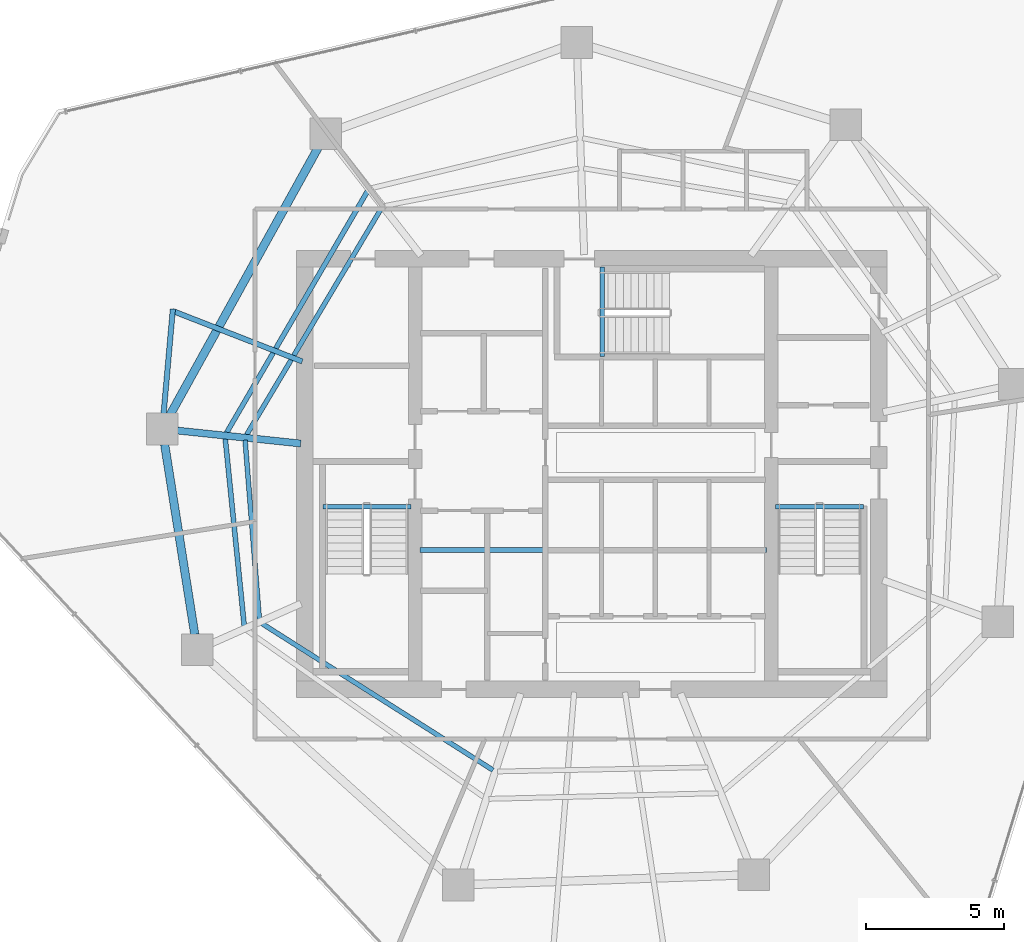
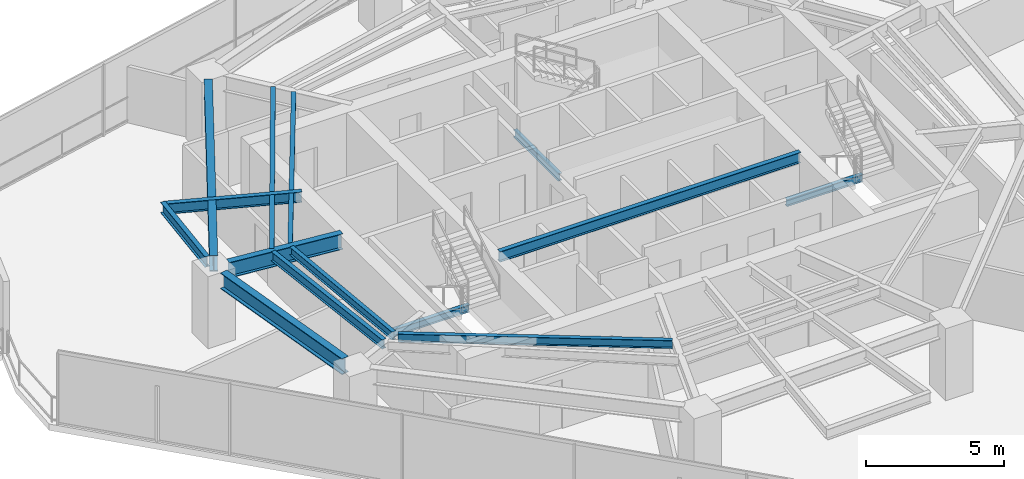
# One storey, part 6 of 23: 14 beams.
"""IFC4 building model written with IfcOpenShell, lengths in metres."""

import ifcopenshell
import ifcopenshell.guid

model = None  # the IFC model being written
_history = None  # IfcOwnerHistory: only IFC2X3 demands one
_inside = {}  # id of a spatial element -> (the spatial element, [elements in it])
_under = {}  # id of a project, library or spatial element -> (it, [spatial elements below it])
_declared = {}  # id of a project -> (the project, [libraries it declares])
_typed = {}  # id of a type object -> (the type object, [elements of that type])
_made_of = {}  # id of a material, layer set ... -> (it, [elements and type objects made of it])


def new_model(schema):
    """Start an empty IFC model of exactly this schema.

    Asked for "IFC4X3", IfcOpenShell would pick the latest addendum, in which some entities
    have other attributes; the version numbers below select the first issue.
    IFC2X3 requires an IfcOwnerHistory on every rooted entity: one is made here for all.
    """
    global model, _history
    if schema == "IFC4X3":
        model = ifcopenshell.file(schema_version=(4, 3, 0, 0))
    else:
        model = ifcopenshell.file(schema=schema)
    _inside.clear()
    _under.clear()
    _declared.clear()
    _typed.clear()
    _made_of.clear()
    _history = None
    if model.schema == "IFC2X3":
        org = make("IfcOrganization", Name="unknown")
        user = make(
            "IfcPersonAndOrganization",
            ThePerson=make("IfcPerson", FamilyName="unknown"),
            TheOrganization=org,
        )
        app = make(
            "IfcApplication",
            ApplicationDeveloper=org,
            Version="unknown",
            ApplicationFullName="unknown",
            ApplicationIdentifier="unknown",
        )
        _history = make(
            "IfcOwnerHistory",
            OwningUser=user,
            OwningApplication=app,
            ChangeAction="ADDED",
            CreationDate=0,
        )
    return model


def make(cls, **values):
    """One entity of the class cls with the attributes given. An attribute that is None is left unset."""
    return model.create_entity(
        cls, **{name: value for name, value in values.items() if value is not None}
    )


def rooted(cls, **values):
    """An entity with a GlobalId (a new one), such as an element, a storey or a relation."""
    return make(cls, GlobalId=ifcopenshell.guid.new(), OwnerHistory=_history, **values)


def si_unit(unit_type, name, prefix=None):
    """IfcSIUnit, for example si_unit("LENGTHUNIT", "METRE", prefix="MILLI")."""
    return make("IfcSIUnit", UnitType=unit_type, Prefix=prefix, Name=name)


def assignment(units):
    """IfcUnitAssignment: the units of a project."""
    return None if units is None else make("IfcUnitAssignment", Units=units)


def point(xyz):
    """IfcCartesianPoint."""
    return None if xyz is None else make("IfcCartesianPoint", Coordinates=xyz)


def direction(xyz):
    """IfcDirection."""
    return None if xyz is None else make("IfcDirection", DirectionRatios=xyz)


def frame(location, z_axis=None, x_axis=None):
    """IfcAxis2Placement3D, a coordinate frame: its origin and axes. An axis left out is left unset."""
    return make(
        "IfcAxis2Placement3D",
        Location=point(location),
        Axis=direction(z_axis),
        RefDirection=direction(x_axis),
    )


def frame_2d(location, x_axis=None):
    """IfcAxis2Placement2D, a coordinate frame in the plane: its origin and x axis."""
    return make(
        "IfcAxis2Placement2D", Location=point(location), RefDirection=direction(x_axis)
    )


def origin():
    """The frame at (0, 0, 0) with its axes left unset."""
    return frame((0.0, 0.0, 0.0))


def origin_2d():
    """The frame at (0, 0) in the plane with its x axis left unset."""
    return frame_2d((0.0, 0.0))


def place(relative_to, where):
    """IfcLocalPlacement: puts the frame where relative to a parent placement (None: the world)."""
    return make(
        "IfcLocalPlacement", PlacementRelTo=relative_to, RelativePlacement=where
    )


def context(
    kind, dimensions, precision=None, world=None, true_north=None, identifier=None
):
    """IfcGeometricRepresentationContext, for example the 3D "Model" context."""
    return make(
        "IfcGeometricRepresentationContext",
        ContextIdentifier=identifier,
        ContextType=kind,
        CoordinateSpaceDimension=dimensions,
        Precision=precision,
        WorldCoordinateSystem=world,
        TrueNorth=true_north,
    )


def subcontext(parent, identifier, kind, view, scale=None):
    """IfcGeometricRepresentationSubContext, for example "Body" below "Model"."""
    return make(
        "IfcGeometricRepresentationSubContext",
        ContextIdentifier=identifier,
        ContextType=kind,
        ParentContext=parent,
        TargetScale=scale,
        TargetView=view,
    )


def project(units=None, contexts=None):
    """IfcProject with its units and contexts."""
    return rooted(
        "IfcProject",
        Name="project",
        RepresentationContexts=contexts,
        UnitsInContext=assignment(units),
    )


def spatial(cls, under=None, at=None, **own):
    """A site, building, storey or space (cls), placed at a placement, below another one or the project."""
    s = rooted(cls, ObjectPlacement=at, **own)
    if under is not None:
        _under.setdefault(under.id(), (under, []))[1].append(s)
    return s


def profile(cls, at=None, kind="AREA", **sizes):
    """A parametric profile (cls). Its sizes go by their IFC names, for example OverallWidth=200.0."""
    return make(cls, ProfileType=kind, Position=at, **sizes)


def i_section(**sizes):
    """IfcIShapeProfileDef."""
    return profile("IfcIShapeProfileDef", **sizes)


def extrude(swept, where, along, depth):
    """IfcExtrudedAreaSolid: the profile swept, set in the frame where, extruded along a direction by depth."""
    return make(
        "IfcExtrudedAreaSolid",
        SweptArea=swept,
        Position=where,
        ExtrudedDirection=direction(along),
        Depth=depth,
    )


def shape(context_of_items, identifier, shape_type, items):
    """IfcShapeRepresentation: the items that make up one representation, for example the "Body"."""
    return make(
        "IfcShapeRepresentation",
        ContextOfItems=context_of_items,
        RepresentationIdentifier=identifier,
        RepresentationType=shape_type,
        Items=items,
    )


def material(Name=None, Category=None):
    """IfcMaterial."""
    return make("IfcMaterial", Name=Name, Category=Category)


def material_profile(
    of_material, cross_section, Name=None, Category=None, Priority=None
):
    """IfcMaterialProfile: a cross section and its material."""
    return make(
        "IfcMaterialProfile",
        Name=Name,
        Material=of_material,
        Profile=cross_section,
        Priority=Priority,
        Category=Category,
    )


def profile_set(profiles, Name=None, composite=None):
    """IfcMaterialProfileSet."""
    return make(
        "IfcMaterialProfileSet",
        Name=Name,
        MaterialProfiles=profiles,
        CompositeProfile=composite,
    )


def made_of(thing, what):
    """Note that an element or type object is made of a material, layer set ...; save() writes the relation."""
    if what is not None:
        _made_of.setdefault(what.id(), (what, []))[1].append(thing)
    return thing


def type_object(cls, material=None, **own):
    """A type object (cls), such as IfcWallType, which elements share."""
    return made_of(rooted(cls, **own), material)


def element(
    cls,
    number,
    at=None,
    inside=None,
    cuts=None,
    type_object=None,
    material=None,
    context=None,
    identifier="Body",
    shape_type=None,
    held_by="IfcProductDefinitionShape",
    body=None,
    shapes=None,
    **own,
):
    """One element of the class cls, such as IfcWall. Its Tag is "e" and its number.

    at: its placement. inside: the storey or other place that contains it. cuts: it is an
    opening in that element (IfcRelVoidsElement). A single representation is given by context,
    identifier, shape_type and body (its items); several are given by shapes. held_by: the class
    of the entity that holds the representations. save() writes the other relations.
    """
    e = rooted(cls, Tag="e%d" % number, ObjectPlacement=at, **own)
    if body is not None:
        shapes = [shape(context, identifier, shape_type, body)]
    if shapes is not None:
        e.Representation = make(held_by, Representations=shapes)
    if inside is not None:
        _inside.setdefault(inside.id(), (inside, []))[1].append(e)
    if cuts is not None:
        rooted(
            "IfcRelVoidsElement", RelatingBuildingElement=cuts, RelatedOpeningElement=e
        )
    if type_object is not None:
        _typed.setdefault(type_object.id(), (type_object, []))[1].append(e)
    return made_of(e, material)


def aggregate(whole, parts):
    """IfcRelAggregates: a whole, such as a stair, and the parts it consists of."""
    return rooted("IfcRelAggregates", RelatingObject=whole, RelatedObjects=parts)


def save(model, path):
    """Write the relations noted so far, then the file.

    IfcRelAggregates (storeys below a building ...), IfcRelContainedInSpatialStructure (elements
    in a storey), IfcRelDefinesByType, IfcRelAssociatesMaterial and IfcRelDeclares: one each for
    every whole, place, type object, material and project.
    """
    for whole, parts in _under.values():
        aggregate(whole, parts)
    for where, things in _inside.values():
        rooted(
            "IfcRelContainedInSpatialStructure",
            RelatedElements=things,
            RelatingStructure=where,
        )
    for kind, things in _typed.values():
        rooted("IfcRelDefinesByType", RelatedObjects=things, RelatingType=kind)
    for what, things in _made_of.values():
        rooted("IfcRelAssociatesMaterial", RelatedObjects=things, RelatingMaterial=what)
    for by, libraries in _declared.values():
        rooted("IfcRelDeclares", RelatingContext=by, RelatedDefinitions=libraries)
    model.write(path)


model = new_model("IFC4")

# Units and contexts
model_context = context("Model", 3, precision=1e-05, world=origin(), true_north=direction((0.0, 1.0)))
body_context = subcontext(model_context, "Body", "Model", "MODEL_VIEW")
ifc_project = project(units=[si_unit("LENGTHUNIT", "METRE"), si_unit("AREAUNIT", "SQUARE_METRE"), si_unit("VOLUMEUNIT", "CUBIC_METRE"), si_unit("PLANEANGLEUNIT", "RADIAN"), si_unit("MASSUNIT", "GRAM", prefix="KILO")], contexts=[model_context])

# Site, building, storey
site_placement = place(None, origin())
site = spatial("IfcSite", under=ifc_project, at=site_placement, CompositionType="ELEMENT")
building_placement = place(site_placement, origin())
building = spatial("IfcBuilding", under=site, at=building_placement, Name="Qarnah Convention Tower", CompositionType="ELEMENT")
storey_placement = place(building_placement, frame((0.0, 0.0, 114.300048828125)))
storey = spatial("IfcBuildingStorey", under=building, at=storey_placement, Name="L30", CompositionType="ELEMENT", Elevation=114.300048828125)

# Beams
ifc_material = material(Name="Structural steel S355JR", Category="steel")
ifc_material_profile_1 = material_profile(ifc_material, i_section(OverallWidth=0.19189453125, OverallDepth=0.464111328125, WebThickness=0.010986328125, FlangeThickness=0.01806640625, at=origin_2d()), Name="W460X89")
ifc_profile_set_1 = profile_set([ifc_material_profile_1], Name="Structural steel S355JR")
beam_type_1 = type_object("IfcBeamType", Name="BM-CANT-W460A", PredefinedType="BEAM", material=ifc_profile_set_1)
beam_1_placement = place(storey_placement, frame((30.97998046875, 23.64990234375, 2.93798828125), z_axis=(1.0, 0.0, 0.0), x_axis=(0.0, 1.0, 0.0)))
element("IfcBeam", 1, at=beam_1_placement, inside=storey, type_object=beam_type_1, Name="L30 beam BM-L30-KC1", PredefinedType="BEAM", context=body_context, shape_type="SweptSolid", body=[
    extrude(i_section(OverallWidth=0.19189453125, OverallDepth=0.464111328125, WebThickness=0.010986328125, FlangeThickness=0.01806640625, at=origin_2d()), origin(), (0.0, 0.0, 1.0), 12.5400390625),
])
beam_2_placement = place(storey_placement, frame((26.70703125, 30.48291015625, 2.93798828125), z_axis=(-0.93184170275, 0.362865045183, 0.0), x_axis=(-0.362865045183, -0.93184170275, 0.0)))
element("IfcBeam", 2, at=beam_2_placement, inside=storey, type_object=beam_type_1, Name="L30 beam BM-L30-CNT-02-1", PredefinedType="BEAM", context=body_context, shape_type="SweptSolid", body=[
    extrude(i_section(OverallWidth=0.19189453125, OverallDepth=0.464111328125, WebThickness=0.010986328125, FlangeThickness=0.01806640625, at=origin_2d()), origin(), (0.0, 0.0, 1.0), 5.035400390625),
])
beam_3_placement = place(storey_placement, frame((22.02099609375, 32.3798828125, 2.93798828125), z_axis=(-0.088250477094, -0.996098315074, 0.0), x_axis=(0.996098315074, -0.088250477094, 0.0)))
element("IfcBeam", 3, at=beam_3_placement, inside=storey, type_object=beam_type_1, Name="L30 spandrel BM-L30-CTIE-02", PredefinedType="SPANDREL", context=body_context, shape_type="SweptSolid", body=[
    extrude(i_section(OverallWidth=0.19189453125, OverallDepth=0.464111328125, WebThickness=0.010986328125, FlangeThickness=0.01806640625, at=origin_2d()), origin(), (0.0, 0.0, 1.0), 3.795654296875),
])
ifc_material_profile_2 = material_profile(ifc_material, i_section(OverallWidth=0.166015625, OverallDepth=0.31201171875, WebThickness=0.007080078125, FlangeThickness=0.010986328125, at=origin_2d()), Name="W310X45")
ifc_profile_set_2 = profile_set([ifc_material_profile_2], Name="Structural steel S355JR")
beam_type_2 = type_object("IfcBeamType", Name="BM-JST-W310", PredefinedType="JOIST", material=ifc_profile_set_2)
for number, where, z_axis, x_axis, name in (
    (4, (27.4599609375, 25.217041015625, -0.156005859375), (1.0, 0.0, 0.0), (0.0, 1.0, 0.0), "L30 stair landing trimmer beam BM-L30-ST1-TRM"),
    (5, (43.860107421875, 25.217041015625, -0.156005859375), (1.0, 0.0, 0.0), (0.0, 1.0, 0.0), "L30 stair landing trimmer beam BM-L30-ST2-TRM"),
):
    element("IfcBeam", number, at=place(storey_placement, frame(where, z_axis=z_axis, x_axis=x_axis)), inside=storey, type_object=beam_type_2, Name=name, PredefinedType="BEAM", context=body_context, shape_type="SweptSolid", body=[
        extrude(i_section(OverallWidth=0.166015625, OverallDepth=0.31201171875, WebThickness=0.007080078125, FlangeThickness=0.010986328125, at=origin_2d()), origin(), (0.0, 0.0, 1.0), 3.179931640625),
    ])
beam_4_placement = place(storey_placement, frame((37.5830078125, 30.659912109375, -0.156005859375), z_axis=(0.0, 1.0, 0.0), x_axis=(-1.0, 0.0, 0.0)))
element("IfcBeam", 6, at=beam_4_placement, inside=storey, type_object=beam_type_2, Name="L30 stair landing trimmer beam BM-L30-ST3-TRM", PredefinedType="BEAM", context=body_context, shape_type="SweptSolid", body=[
    extrude(i_section(OverallWidth=0.166015625, OverallDepth=0.31201171875, WebThickness=0.007080078125, FlangeThickness=0.010986328125, at=origin_2d()), origin(), (0.0, 0.0, 1.0), 3.239990234375),
])
ifc_material_profile_3 = material_profile(ifc_material, i_section(OverallWidth=0.172119140625, OverallDepth=0.35595703125, WebThickness=0.007080078125, FlangeThickness=0.011962890625, at=origin_2d()), Name="W360X51")
ifc_profile_set_3 = profile_set([ifc_material_profile_3], Name="Structural steel S355JR")
beam_type_3 = type_object("IfcBeamType", Name="BM-JST-W360", PredefinedType="JOIST", material=ifc_profile_set_3)
beam_5_placement = place(storey_placement, frame((29.572998046875, 36.02587890625, 2.991943359375), z_axis=(-0.511368642738, -0.859361455515, 0.0), x_axis=(0.859361455515, -0.511368642738, 0.0)))
element("IfcBeam", 7, at=beam_5_placement, inside=storey, type_object=beam_type_3, Name="L30 joist BM-L30-IJST-04", PredefinedType="JOIST", context=body_context, shape_type="SweptSolid", body=[
    extrude(i_section(OverallWidth=0.172119140625, OverallDepth=0.35595703125, WebThickness=0.007080078125, FlangeThickness=0.011962890625, at=origin_2d()), origin(), (0.0, 0.0, 1.0), 9.57421875),
])
beam_6_placement = place(storey_placement, frame((24.637939453125, 27.631103515625, 2.991943359375), z_axis=(0.079450568975, -0.996838806974, 0.0), x_axis=(0.996838806974, 0.079450568975, 0.0)))
element("IfcBeam", 8, at=beam_6_placement, inside=storey, type_object=beam_type_3, Name="L30 joist BM-L30-IJST-05", PredefinedType="JOIST", context=body_context, shape_type="SweptSolid", body=[
    extrude(i_section(OverallWidth=0.172119140625, OverallDepth=0.35595703125, WebThickness=0.007080078125, FlangeThickness=0.011962890625, at=origin_2d()), origin(), (0.0, 0.0, 1.0), 6.5205078125),
])
beam_7_placement = place(storey_placement, frame((25.239013671875, 20.992919921875, 2.991943359375), z_axis=(0.844366426135, -0.53576612287, 0.0), x_axis=(0.53576612287, 0.844366426135, 0.0)))
element("IfcBeam", 9, at=beam_7_placement, inside=storey, type_object=beam_type_3, Name="L30 joist BM-L30-IJST-06", PredefinedType="JOIST", context=body_context, shape_type="SweptSolid", body=[
    extrude(i_section(OverallWidth=0.172119140625, OverallDepth=0.35595703125, WebThickness=0.007080078125, FlangeThickness=0.011962890625, at=origin_2d()), origin(), (0.0, 0.0, 1.0), 9.929443359375),
])
ifc_material_profile_4 = material_profile(ifc_material, i_section(OverallWidth=0.177978515625, OverallDepth=0.407958984375, WebThickness=0.008056640625, FlangeThickness=0.012939453125, at=origin_2d()), Name="W410X60")
ifc_profile_set_4 = profile_set([ifc_material_profile_4], Name="Structural steel S355JR")
beam_type_4 = type_object("IfcBeamType", Name="BM-JST-W410", PredefinedType="JOIST", material=ifc_profile_set_4)
beam_8_placement = place(storey_placement, frame((29.077880859375, 36.659912109375, 2.966064453125), z_axis=(-0.503905353002, -0.863758875622, 0.0), x_axis=(0.863758875622, -0.503905353002, 0.0)))
element("IfcBeam", 10, at=beam_8_placement, inside=storey, type_object=beam_type_4, Name="L30 joist BM-L30-SJST-04", PredefinedType="JOIST", context=body_context, shape_type="SweptSolid", body=[
    extrude(i_section(OverallWidth=0.177978515625, OverallDepth=0.407958984375, WebThickness=0.008056640625, FlangeThickness=0.012939453125, at=origin_2d()), origin(), (0.0, 0.0, 1.0), 10.170654296875),
])
beam_9_placement = place(storey_placement, frame((23.9169921875, 27.70703125, 2.966064453125), z_axis=(0.100946033179, -0.994891902865, 0.0), x_axis=(0.994891902865, 0.100946033179, 0.0)))
element("IfcBeam", 11, at=beam_9_placement, inside=storey, type_object=beam_type_4, Name="L30 joist BM-L30-SJST-05", PredefinedType="JOIST", context=body_context, shape_type="SweptSolid", body=[
    extrude(i_section(OverallWidth=0.177978515625, OverallDepth=0.407958984375, WebThickness=0.008056640625, FlangeThickness=0.012939453125, at=origin_2d()), origin(), (0.0, 0.0, 1.0), 6.85400390625),
])
ifc_material_profile_5 = material_profile(ifc_material, i_section(OverallWidth=0.25390625, OverallDepth=0.68798828125, WebThickness=0.012939453125, FlangeThickness=0.02099609375, at=origin_2d()), Name="W690X152")
ifc_profile_set_5 = profile_set([ifc_material_profile_5], Name="Structural steel S355JR")
beam_type_5 = type_object("IfcBeamType", Name="BM-RAD-W690", PredefinedType="BEAM", material=ifc_profile_set_5)
beam_10_placement = place(storey_placement, frame((26.65087890625, 27.509033203125, 2.825927734375), z_axis=(-0.994523622606, 0.104512028393, 0.0), x_axis=(-0.104512028393, -0.994523622606, 0.0)))
element("IfcBeam", 12, at=beam_10_placement, inside=storey, type_object=beam_type_5, Name="L30 beam BM-L30-RAD-05", PredefinedType="BEAM", context=body_context, shape_type="SweptSolid", body=[
    extrude(i_section(OverallWidth=0.25390625, OverallDepth=0.68798828125, WebThickness=0.012939453125, FlangeThickness=0.02099609375, at=origin_2d()), origin(), (0.0, 0.0, 1.0), 4.487548828125),
])
ifc_material_profile_6 = material_profile(ifc_material, i_section(OverallWidth=0.300048828125, OverallDepth=0.699951171875, WebThickness=0.01708984375, FlangeThickness=0.031982421875, at=origin_2d()), Name="HEB700")
ifc_profile_set_6 = profile_set([ifc_material_profile_6], Name="Structural steel S355JR")
beam_type_6 = type_object("IfcBeamType", Name="BM-RING-HEB700", PredefinedType="BEAM", material=ifc_profile_set_6)
beam_11_placement = place(storey_placement, frame((27.291015625, 38.238037109375, 2.820068359375), z_axis=(-0.484800448222, -0.874624791212, 0.0), x_axis=(0.874624791212, -0.484800448222, 0.0)))
element("IfcBeam", 13, at=beam_11_placement, inside=storey, type_object=beam_type_6, Name="L30 beam BM-L30-SPN-04", PredefinedType="BEAM", context=body_context, shape_type="SweptSolid", body=[
    extrude(i_section(OverallWidth=0.300048828125, OverallDepth=0.699951171875, WebThickness=0.01708984375, FlangeThickness=0.031982421875, at=origin_2d()), origin(), (0.0, 0.0, 1.0), 11.099609375),
])
beam_12_placement = place(storey_placement, frame((21.72412109375, 27.47802734375, 2.820068359375), z_axis=(0.156482310627, -0.987680761411, 0.0), x_axis=(0.987680761411, 0.156482310627, 0.0)))
element("IfcBeam", 14, at=beam_12_placement, inside=storey, type_object=beam_type_6, Name="L30 beam BM-L30-SPN-05", PredefinedType="BEAM", context=body_context, shape_type="SweptSolid", body=[
    extrude(i_section(OverallWidth=0.300048828125, OverallDepth=0.699951171875, WebThickness=0.01708984375, FlangeThickness=0.031982421875, at=origin_2d()), origin(), (0.0, 0.0, 1.0), 6.970947265625),
])

save(model, "model.ifc")
